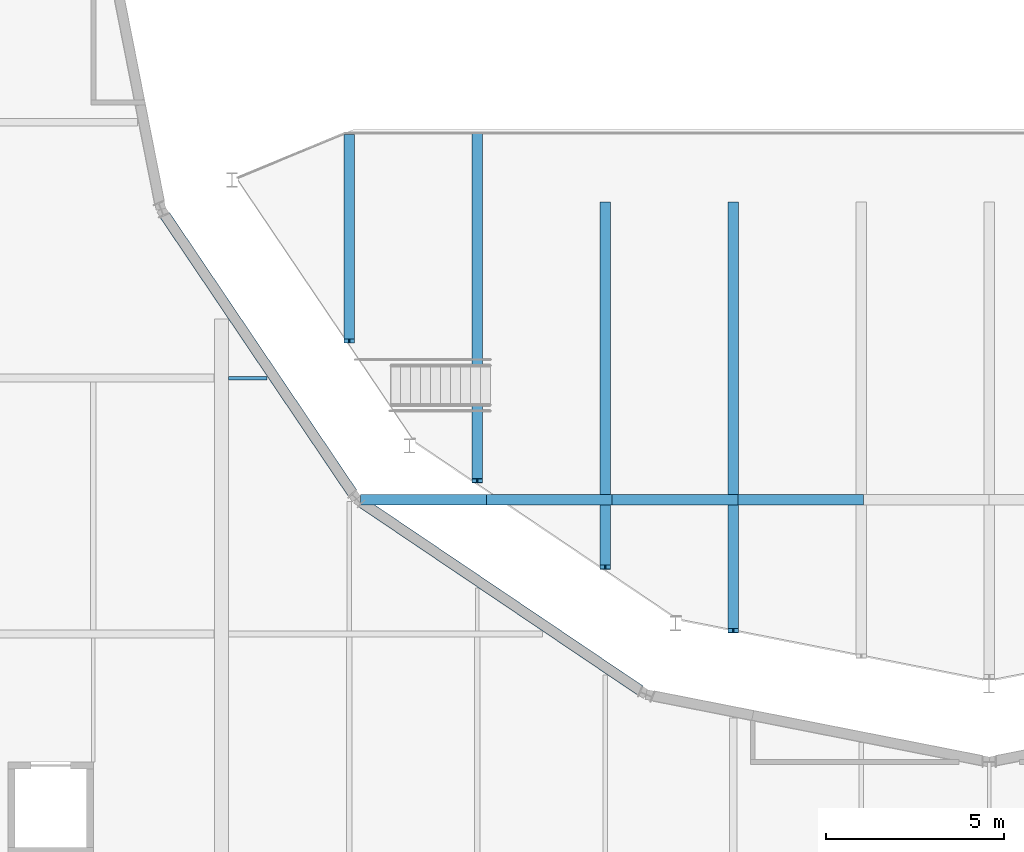
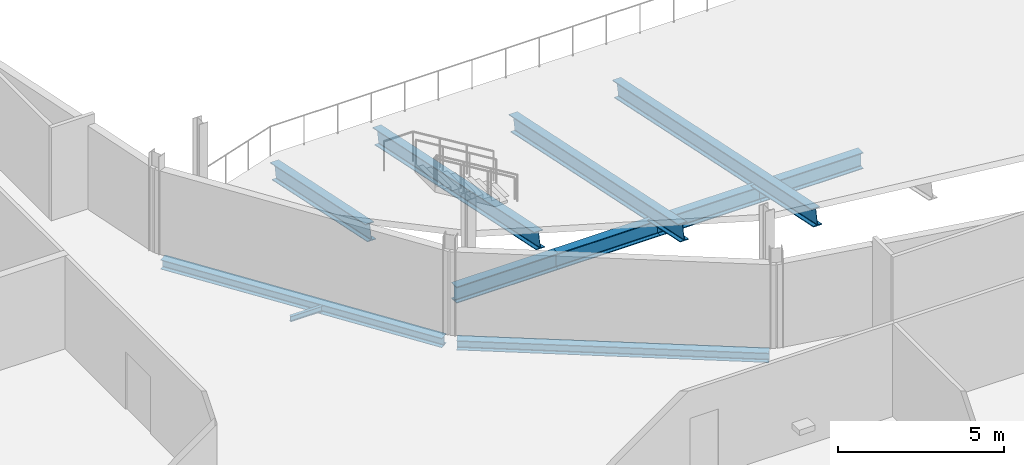
# One storey, part 34 of 124: 7 beams, 4 members.
"""IFC4 building model written with IfcOpenShell, lengths in metres."""

from ifc_helpers import new_model, si_unit, direction, frame, origin, origin_2d, place, context, subcontext, project, spatial, i_section, extrude, material, material_profile, profile_set, type_object, element, save


model = new_model("IFC4")

# Units and contexts
model_context = context("Model", 3, precision=1e-05, world=origin(), true_north=direction((0.0, 1.0)))
body_context = subcontext(model_context, "Body", "Model", "MODEL_VIEW")
ifc_project = project(units=[si_unit("LENGTHUNIT", "METRE"), si_unit("AREAUNIT", "SQUARE_METRE"), si_unit("VOLUMEUNIT", "CUBIC_METRE"), si_unit("PLANEANGLEUNIT", "RADIAN"), si_unit("MASSUNIT", "GRAM", prefix="KILO")], contexts=[model_context])

# Site, building, storey
site_placement = place(None, origin())
site = spatial("IfcSite", under=ifc_project, at=site_placement, CompositionType="ELEMENT")
building_placement = place(site_placement, origin())
building = spatial("IfcBuilding", under=site, at=building_placement, Name="Kupolbacken Congress Centre", CompositionType="ELEMENT")
storey_placement = place(building_placement, frame((0.0, 0.0, 10.800048828125)))
storey = spatial("IfcBuildingStorey", under=building, at=storey_placement, Name="L03", CompositionType="ELEMENT", Elevation=10.800048828125)

# Beams
ifc_material_1 = material(Name="Steel S355", Category="steel")
ifc_material_profile_1 = material_profile(ifc_material_1, i_section(OverallWidth=0.10009765625, OverallDepth=0.199951171875, WebThickness=0.005615234375, FlangeThickness=0.008544921875, FilletRadius=0.011962890625, at=origin_2d()), Name="IPE 200")
ifc_profile_set_1 = profile_set([ifc_material_profile_1], Name="Steel S355")
beam_type_1 = type_object("IfcBeamType", Name="B01 beam IPE 200", PredefinedType="BEAM", material=ifc_profile_set_1)
beam_1_placement = place(storey_placement, frame((21.800048828125, 72.0, -0.280029296875), z_axis=(1.0, 0.0, 0.0), x_axis=(0.0, 1.0, 0.0)))
element("IfcBeam", 1, at=beam_1_placement, inside=storey, type_object=beam_type_1, Name="S/floor/P/L03/R048", PredefinedType="BEAM", context=body_context, shape_type="SweptSolid", body=[
    extrude(i_section(OverallWidth=0.10009765625, OverallDepth=0.199951171875, WebThickness=0.005615234375, FlangeThickness=0.008544921875, FilletRadius=0.011962890625, at=origin_2d()), origin(), (0.0, 0.0, 1.0), 1.0908203125),
])
ifc_material_2 = material(Name="Steel S355", Category="steel")
ifc_material_profile_2 = material_profile(ifc_material_2, i_section(OverallWidth=0.300048828125, OverallDepth=0.35009765625, WebThickness=0.010009765625, FlangeThickness=0.017578125, FilletRadius=0.027099609375, at=origin_2d()), Name="HEA 360")
ifc_profile_set_2 = profile_set([ifc_material_profile_2], Name="Steel S355")
beam_type_2 = type_object("IfcBeamType", Name="B13 beam HEA 360", PredefinedType="BEAM", material=ifc_profile_set_2)
for number, where, z_axis, x_axis, name in (
    (2, (20.01416015625, 76.580810546875, -0.35498046875), (0.55939009895, -0.828904528397, 0.0), (0.828904528397, 0.55939009895, 0.0), "S/floor/P/L03/C010"),
    (3, (25.56884765625, 68.486083984375, -0.35498046875), (0.828904528397, -0.55939009895, 0.0), (0.55939009895, 0.828904528397, 0.0), "S/floor/P/L03/C011"),
):
    element("IfcBeam", number, at=place(storey_placement, frame(where, z_axis=z_axis, x_axis=x_axis)), inside=storey, type_object=beam_type_2, Name=name, PredefinedType="BEAM", context=body_context, shape_type="SweptSolid", body=[
        extrude(i_section(OverallWidth=0.300048828125, OverallDepth=0.35009765625, WebThickness=0.010009765625, FlangeThickness=0.017578125, FilletRadius=0.027099609375, at=origin_2d()), origin(), (0.0, 0.0, 1.0), 9.424560546875),
    ])
ifc_material_3 = material(Name="Steel S355", Category="steel")
ifc_material_profile_3 = material_profile(ifc_material_3, i_section(OverallWidth=0.300048828125, OverallDepth=0.60009765625, WebThickness=0.015380859375, FlangeThickness=0.030029296875, FilletRadius=0.027099609375, at=origin_2d()), Name="HEB 600")
ifc_profile_set_3 = profile_set([ifc_material_profile_3], Name="Steel S355")
beam_type_3 = type_object("IfcBeamType", Name="B15 beam HEB 600", PredefinedType="BEAM", material=ifc_profile_set_3)
beam_2_placement = place(storey_placement, frame((32.39990234375, 66.682861328125, 2.41650390625), z_axis=(0.0, 0.978652272067, -0.205523065319), x_axis=(-1.0, 0.0, 0.0)))
element("IfcBeam", 4, at=beam_2_placement, inside=storey, type_object=beam_type_3, Name="Raked balcony beam", PredefinedType="BEAM", context=body_context, shape_type="SweptSolid", body=[
    extrude(i_section(OverallWidth=0.300048828125, OverallDepth=0.60009765625, WebThickness=0.015380859375, FlangeThickness=0.030029296875, FilletRadius=0.027099609375, at=origin_2d()), origin(), (0.0, 0.0, 1.0), 10.42626953125),
])
beam_3_placement = place(storey_placement, frame((36.0, 64.89501953125, 2.7919921875), z_axis=(0.0, 0.978651773342, -0.205525440113), x_axis=(-1.0, 0.0, 0.0)))
element("IfcBeam", 5, at=beam_3_placement, inside=storey, type_object=beam_type_3, Name="Raked balcony beam", PredefinedType="BEAM", context=body_context, shape_type="SweptSolid", body=[
    extrude(i_section(OverallWidth=0.300048828125, OverallDepth=0.60009765625, WebThickness=0.015380859375, FlangeThickness=0.030029296875, FilletRadius=0.027099609375, at=origin_2d()), origin(), (0.0, 0.0, 1.0), 12.2529296875),
])
ifc_material_4 = material(Name="Steel S355", Category="steel")
ifc_material_profile_4 = material_profile(ifc_material_4, i_section(OverallWidth=0.300048828125, OverallDepth=0.590087890625, WebThickness=0.012939453125, FlangeThickness=0.02490234375, FilletRadius=0.027099609375, at=origin_2d()), Name="HEA 600")
ifc_profile_set_4 = profile_set([ifc_material_profile_4], Name="Steel S355")
beam_type_4 = type_object("IfcBeamType", Name="B24 beam HEA 600", PredefinedType="BEAM", material=ifc_profile_set_4)
beam_4_placement = place(storey_placement, frame((25.199951171875, 73.0458984375, 1.085205078125), z_axis=(0.0, 0.978652492664, -0.205522014887), x_axis=(-1.0, 0.0, 0.0)))
element("IfcBeam", 6, at=beam_4_placement, inside=storey, type_object=beam_type_4, Name="Raked balcony beam", PredefinedType="BEAM", context=body_context, shape_type="SweptSolid", body=[
    extrude(i_section(OverallWidth=0.300048828125, OverallDepth=0.590087890625, WebThickness=0.012939453125, FlangeThickness=0.02490234375, FilletRadius=0.027099609375, at=origin_2d()), origin(), (0.0, 0.0, 1.0), 5.869384765625),
])
beam_5_placement = place(storey_placement, frame((28.800048828125, 69.1123046875, 1.911376953125), z_axis=(0.0, 0.9786537927, -0.205515824291), x_axis=(-1.0, 0.0, 0.0)))
element("IfcBeam", 7, at=beam_5_placement, inside=storey, type_object=beam_type_4, Name="Raked balcony beam", PredefinedType="BEAM", context=body_context, shape_type="SweptSolid", body=[
    extrude(i_section(OverallWidth=0.300048828125, OverallDepth=0.590087890625, WebThickness=0.012939453125, FlangeThickness=0.02490234375, FilletRadius=0.027099609375, at=origin_2d()), origin(), (0.0, 0.0, 1.0), 9.9501953125),
])

# Members
ifc_material_5 = material(Name="Steel S355", Category="steel")
ifc_material_profile_5 = material_profile(ifc_material_5, i_section(OverallWidth=0.300048828125, OverallDepth=0.60009765625, WebThickness=0.015380859375, FlangeThickness=0.030029296875, FilletRadius=0.027099609375, at=origin_2d()), Name="HEB 600")
ifc_profile_set_5 = profile_set([ifc_material_profile_5], Name="Steel S355")
member_type = type_object("IfcMemberType", Name="M02 transfer truss chord HEB 600", PredefinedType="CHORD", material=ifc_profile_set_5)
member_1_placement = place(storey_placement, frame((25.52099609375, 68.580810546875, 1.43408203125), z_axis=(1.0, 0.0, 0.0), x_axis=(0.0, 1.0, 0.0)))
element("IfcMember", 8, at=member_1_placement, inside=storey, type_object=member_type, Name="PD/L02/balc/trussR/TC01", PredefinedType="CHORD", context=body_context, shape_type="SweptSolid", body=[
    extrude(i_section(OverallWidth=0.300048828125, OverallDepth=0.60009765625, WebThickness=0.015380859375, FlangeThickness=0.030029296875, FilletRadius=0.027099609375, at=origin_2d()), origin(), (0.0, 0.0, 1.0), 3.53564453125),
])
for number, where, z_axis, x_axis, name in (
    (9, (29.056640625, 68.580810546875, 1.43408203125), (1.0, 0.0, 0.0), (0.0, 1.0, 0.0), "PD/L02/balc/trussR/TC02"),
    (10, (32.592529296875, 68.580810546875, 1.43408203125), (1.0, 0.0, 0.0), (0.0, 1.0, 0.0), "PD/L02/balc/trussR/TC03"),
):
    element("IfcMember", number, at=place(storey_placement, frame(where, z_axis=z_axis, x_axis=x_axis)), inside=storey, type_object=member_type, Name=name, PredefinedType="CHORD", context=body_context, shape_type="SweptSolid", body=[
        extrude(i_section(OverallWidth=0.300048828125, OverallDepth=0.60009765625, WebThickness=0.015380859375, FlangeThickness=0.030029296875, FilletRadius=0.027099609375, at=origin_2d()), origin(), (0.0, 0.0, 1.0), 3.535888671875),
    ])
member_2_placement = place(storey_placement, frame((36.12841796875, 68.580810546875, 1.43408203125), z_axis=(1.0, 0.0, 0.0), x_axis=(0.0, 1.0, 0.0)))
element("IfcMember", 11, at=member_2_placement, inside=storey, type_object=member_type, Name="PD/L02/balc/trussR/TC04", PredefinedType="CHORD", context=body_context, shape_type="SweptSolid", body=[
    extrude(i_section(OverallWidth=0.300048828125, OverallDepth=0.60009765625, WebThickness=0.015380859375, FlangeThickness=0.030029296875, FilletRadius=0.027099609375, at=origin_2d()), origin(), (0.0, 0.0, 1.0), 3.53564453125),
])

save(model, "model.ifc")
